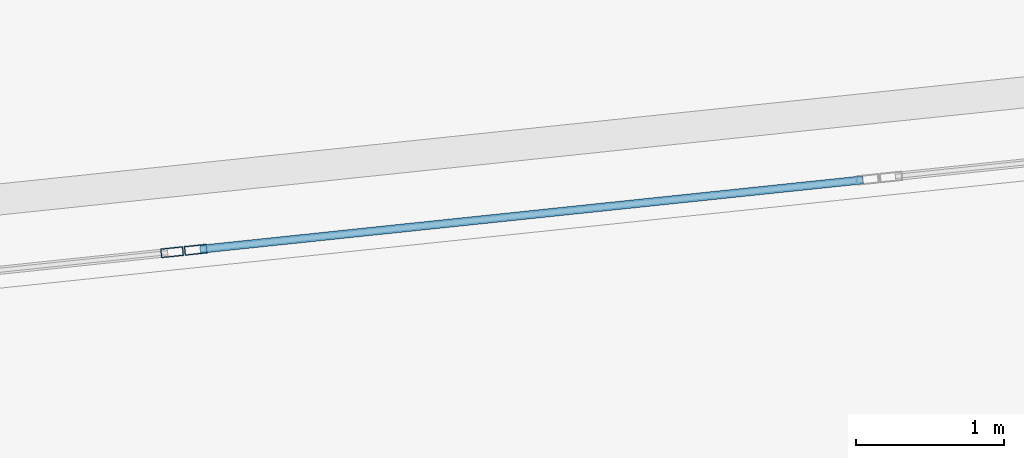
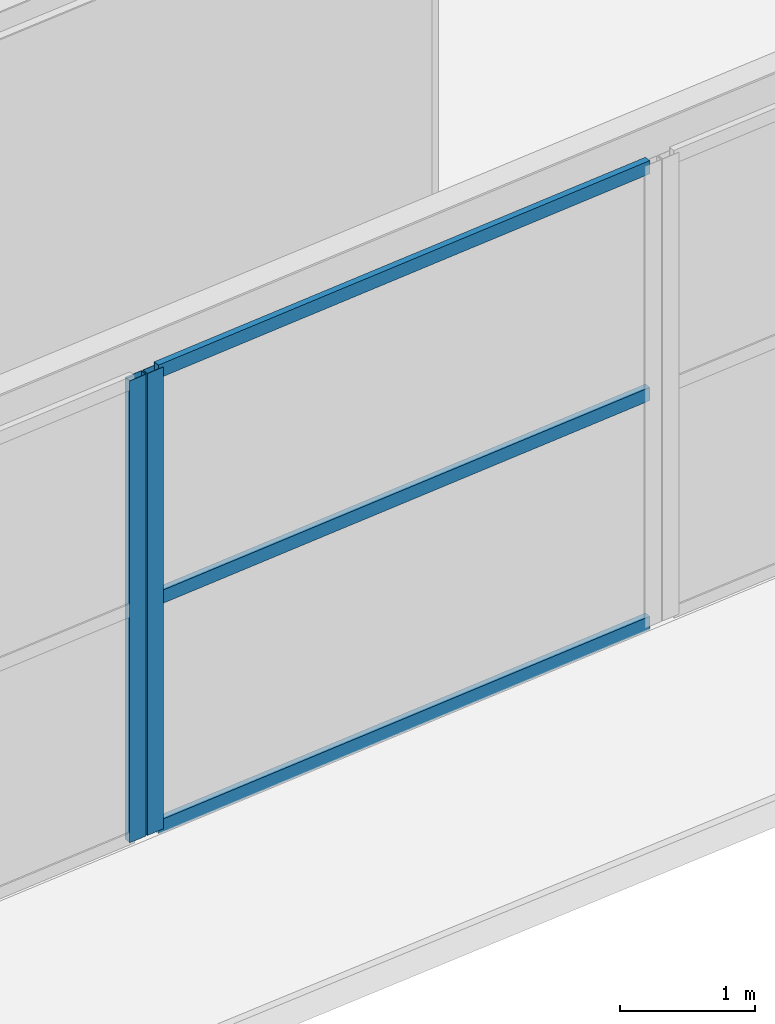
# One storey, part 39 of 126: 5 members, 2 elements without a shape of their own.
"""IFC4 building model written with IfcOpenShell, lengths in metres."""

from ifc_helpers import new_model, si_unit, direction, frame, origin, origin_2d, place, context, subcontext, project, spatial, hollow_rectangle, extrude, material, layer, layer_set, material_profile, profile_set, type_object, element, aggregate, save


model = new_model("IFC4")

# Units and contexts
model_context = context("Model", 3, precision=1e-05, world=origin(), true_north=direction((0.0, 1.0)))
body_context = subcontext(model_context, "Body", "Model", "MODEL_VIEW")
ifc_project = project(units=[si_unit("LENGTHUNIT", "METRE"), si_unit("AREAUNIT", "SQUARE_METRE"), si_unit("VOLUMEUNIT", "CUBIC_METRE"), si_unit("PLANEANGLEUNIT", "RADIAN"), si_unit("MASSUNIT", "GRAM", prefix="KILO")], contexts=[model_context])

# Site, building, storey
site_placement = place(None, origin())
site = spatial("IfcSite", under=ifc_project, at=site_placement, CompositionType="ELEMENT")
building_placement = place(site_placement, origin())
building = spatial("IfcBuilding", under=site, at=building_placement, Name="Kalgoora Escarpment Arena", CompositionType="ELEMENT")
storey_placement = place(building_placement, frame((0.0, 0.0, 18.89990234375)))
storey = spatial("IfcBuildingStorey", under=building, at=storey_placement, Name="L04", CompositionType="ELEMENT", Elevation=18.89990234375)

# Curtain wall, member
ifc_material_1 = material(Name=" Champagne anodised aluminium & double-glazed low-E", Category="aluminium")
ifc_layer_1 = layer(ifc_material_1, 0.157958984375)
ifc_layer_set_1 = layer_set([ifc_layer_1], Name="CW-UNIT-12")
curtain_wall_type_1 = type_object("IfcCurtainWallType", Name="CW-UNIT-12", PredefinedType="NOTDEFINED", material=ifc_layer_set_1)
curtain_wall_1_placement = place(storey_placement, origin())
curtain_wall_1 = element("IfcCurtainWall", 1, at=curtain_wall_1_placement, inside=storey, type_object=curtain_wall_type_1, Name="L04 unitised facade curtain wall 111", PredefinedType="NOTDEFINED")
ifc_material_2 = material(Name="Anodised aluminium 6063-T6", Category="aluminium")
ifc_material_profile_1 = material_profile(ifc_material_2, hollow_rectangle(XDim=0.06005859375, YDim=0.14990234375, WallThickness=0.00341796875, at=origin_2d()))
ifc_profile_set_1 = profile_set([ifc_material_profile_1], Name="Anodised aluminium 6063-T6")
member_type_1 = type_object("IfcMemberType", Name="MEM-CW-MULL-150", PredefinedType="MULLION", material=ifc_profile_set_1)
member_1_placement = place(storey_placement, frame((101.83642578125, 7.509033203125, 0.02001953125), z_axis=(0.0, 0.0, 1.0), x_axis=(0.104182310405, -0.994558216596, 0.0)))
member_1 = element("IfcMember", 2, at=member_1_placement, type_object=member_type_1, Name="CW-12 mullion 2", PredefinedType="MULLION", context=body_context, shape_type="SweptSolid", body=[
    extrude(hollow_rectangle(XDim=0.06005859375, YDim=0.14990234375, WallThickness=0.00341796875, at=origin_2d()), origin(), (0.0, 0.0, 1.0), 4.170166015625),
])

ifc_material_3 = material(Name=" Champagne anodised aluminium & double-glazed low-E", Category="aluminium")
ifc_layer_2 = layer(ifc_material_3, 0.162109375)
ifc_layer_set_2 = layer_set([ifc_layer_2], Name="CW-UNIT-13")
curtain_wall_type_2 = type_object("IfcCurtainWallType", Name="CW-UNIT-13", PredefinedType="NOTDEFINED", material=ifc_layer_set_2)
curtain_wall_2_placement = place(storey_placement, origin())
curtain_wall_2 = element("IfcCurtainWall", 3, at=curtain_wall_2_placement, inside=storey, type_object=curtain_wall_type_2, Name="L04 unitised facade curtain wall 112", PredefinedType="NOTDEFINED")
member_2_placement = place(storey_placement, frame((101.67724609375, 7.492431640625, 0.02001953125), z_axis=(0.0, 0.0, 1.0), x_axis=(0.104182310405, -0.994558216596, 0.0)))
member_2 = element("IfcMember", 4, at=member_2_placement, type_object=member_type_1, Name="CW-13 mullion 1", PredefinedType="MULLION", context=body_context, shape_type="SweptSolid", body=[
    extrude(hollow_rectangle(XDim=0.06005859375, YDim=0.14990234375, WallThickness=0.00341796875, at=origin_2d()), origin(), (0.0, 0.0, 1.0), 4.170166015625),
])
aggregate(curtain_wall_2, [member_2])

# Member
ifc_material_4 = material(Name="Anodised aluminium 6063-T6", Category="aluminium")
ifc_material_profile_2 = material_profile(ifc_material_4, hollow_rectangle(XDim=0.054931640625, YDim=0.1201171875, WallThickness=0.003173828125, at=origin_2d()))
ifc_profile_set_2 = profile_set([ifc_material_profile_2], Name="Anodised aluminium 6063-T6")
member_type_2 = type_object("IfcMemberType", Name="MEM-CW-TRAN-120", PredefinedType="USERDEFINED", material=ifc_profile_set_2)
member_3_placement = place(storey_placement, frame((106.33203125, 7.97998046875, 0.047607421875), z_axis=(-0.994558948875, -0.104175319596, 0.0), x_axis=(0.104175319596, -0.994558948875, 0.0)))
member_3 = element("IfcMember", 5, at=member_3_placement, type_object=member_type_2, Name="CW-12 transom 1.1", ObjectType="TRANSOM", PredefinedType="USERDEFINED", context=body_context, shape_type="SweptSolid", body=[
    extrude(hollow_rectangle(XDim=0.054931640625, YDim=0.1201171875, WallThickness=0.003173828125, at=origin_2d()), origin(), (0.0, 0.0, 1.0), 4.490234375),
])

member_4_placement = place(storey_placement, frame((106.33203125, 7.97998046875, 2.114990234375), z_axis=(-0.994558948875, -0.104175319596, 0.0), x_axis=(0.104175319596, -0.994558948875, 0.0)))
member_4 = element("IfcMember", 6, at=member_4_placement, type_object=member_type_2, Name="CW-12 transom 1.2", ObjectType="TRANSOM", PredefinedType="USERDEFINED", context=body_context, shape_type="SweptSolid", body=[
    extrude(hollow_rectangle(XDim=0.054931640625, YDim=0.1201171875, WallThickness=0.003173828125, at=origin_2d()), origin(), (0.0, 0.0, 1.0), 4.490234375),
])

member_5_placement = place(storey_placement, frame((106.33203125, 7.97998046875, 4.16259765625), z_axis=(-0.994558948875, -0.104175319596, 0.0), x_axis=(0.104175319596, -0.994558948875, 0.0)))
member_5 = element("IfcMember", 7, at=member_5_placement, type_object=member_type_2, Name="CW-12 transom 1.3", ObjectType="TRANSOM", PredefinedType="USERDEFINED", context=body_context, shape_type="SweptSolid", body=[
    extrude(hollow_rectangle(XDim=0.054931640625, YDim=0.1201171875, WallThickness=0.003173828125, at=origin_2d()), origin(), (0.0, 0.0, 1.0), 4.490234375),
])

aggregate(curtain_wall_1, [member_1, member_3, member_4, member_5])

save(model, "model.ifc")
